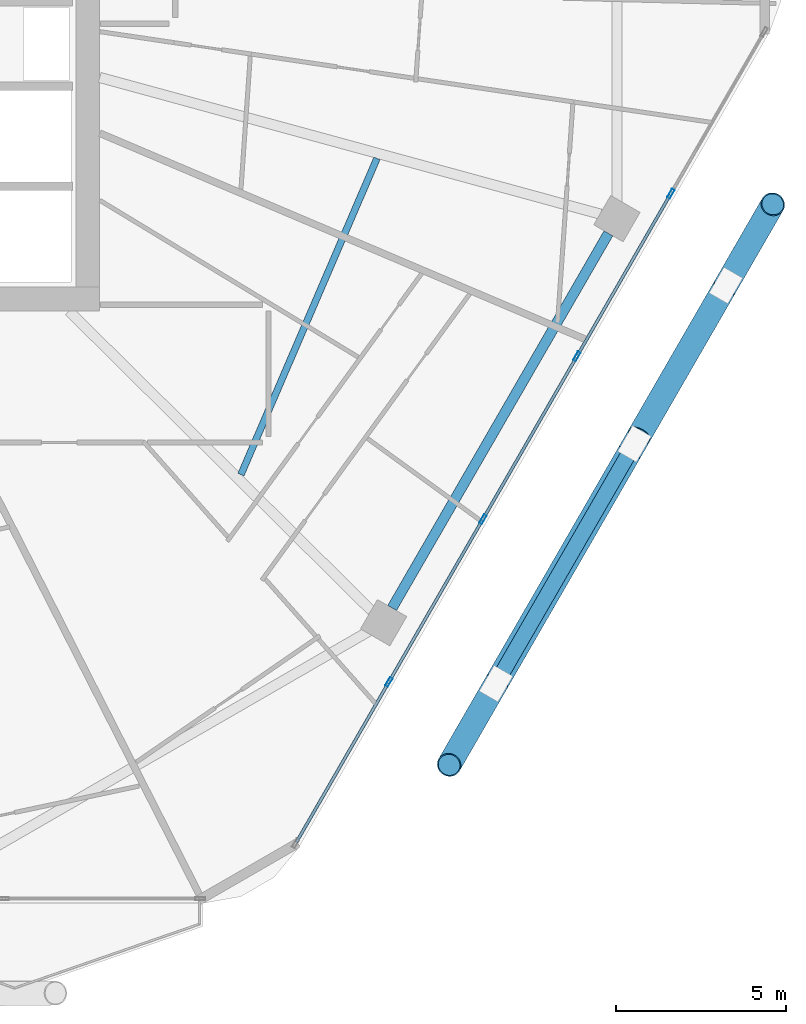
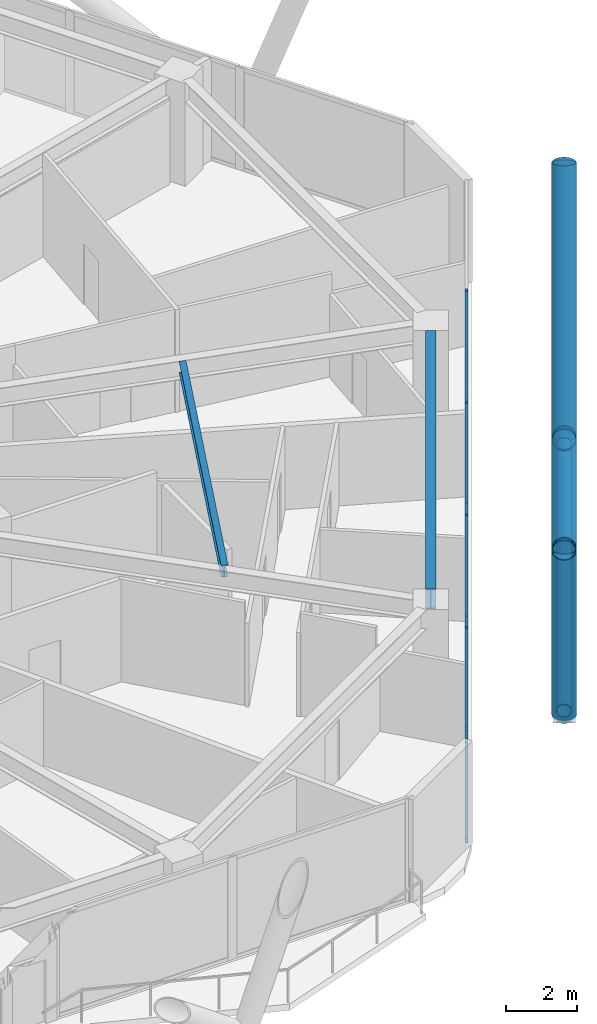
# One storey, part 9 of 29: 18 members, 2 beams, 1 element without a shape of its own.
"""IFC4 building model written with IfcOpenShell, lengths in metres."""

from ifc_helpers import new_model, si_unit, direction, frame, origin, origin_2d, place, context, subcontext, project, spatial, hollow_rectangle, hollow_circle, i_section, extrude, material, material_profile, profile_set, type_object, element, aggregate, save


model = new_model("IFC4")

# Units and contexts
model_context = context("Model", 3, precision=1e-05, world=origin(), true_north=direction((0.0, 1.0)))
body_context = subcontext(model_context, "Body", "Model", "MODEL_VIEW")
ifc_project = project(units=[si_unit("LENGTHUNIT", "METRE"), si_unit("AREAUNIT", "SQUARE_METRE"), si_unit("VOLUMEUNIT", "CUBIC_METRE"), si_unit("PLANEANGLEUNIT", "RADIAN"), si_unit("MASSUNIT", "GRAM", prefix="KILO")], contexts=[model_context])

# Site, building, storey
site_placement = place(None, origin())
site = spatial("IfcSite", under=ifc_project, at=site_placement, CompositionType="ELEMENT")
building_placement = place(site_placement, origin())
building = spatial("IfcBuilding", under=site, at=building_placement, Name="Zuhravey Tower", CompositionType="ELEMENT")
storey_placement = place(building_placement, frame((0.0, 0.0, 184.60009765625)))
storey = spatial("IfcBuildingStorey", under=building, at=storey_placement, Name="L46", CompositionType="ELEMENT", Elevation=184.60009765625)

# Curtain wall, members
ifc_material_1 = material(Name="Thermally broken anodised aluminium", Category="aluminium")
curtain_wall_type = type_object("IfcCurtainWallType", Name="Zone 1-2 Residential Curtain Wall CW3", PredefinedType="NOTDEFINED", material=ifc_material_1)
curtain_wall_placement = place(storey_placement, origin())
curtain_wall = element("IfcCurtainWall", 1, at=curtain_wall_placement, inside=storey, type_object=curtain_wall_type, Name="L46 CW3 CW-L46-F6-1", PredefinedType="NOTDEFINED")
ifc_material_2 = material(Name="Anodised aluminium", Category="aluminium")
ifc_material_profile_1 = material_profile(ifc_material_2, hollow_rectangle(XDim=0.090087890625, YDim=0.284912109375, WallThickness=0.0048828125, at=origin_2d()), Name="ALU-RHS-90x285x5")
ifc_profile_set_1 = profile_set([ifc_material_profile_1], Name="Anodised aluminium")
member_type_1 = type_object("IfcMemberType", Name="Curtain-Wall Mullion 90x180", PredefinedType="MULLION", material=ifc_profile_set_1)
member_1_placement = place(storey_placement, frame((63.699462890625, 25.61083984375, 0.0), z_axis=(0.0, 0.0, 1.0), x_axis=(0.866025138215, -0.500000459979, 0.0)))
member_1 = element("IfcMember", 2, at=member_1_placement, type_object=member_type_1, Name="CW3 mullion 2", PredefinedType="MULLION", context=body_context, shape_type="SweptSolid", body=[
    extrude(hollow_rectangle(XDim=0.090087890625, YDim=0.284912109375, WallThickness=0.0048828125, at=origin_2d()), origin(), (0.0, 0.0, 1.0), 3.5498046875),
])
member_2_placement = place(storey_placement, frame((60.92724609375, 20.809326171875, 0.0), z_axis=(0.0, 0.0, 1.0), x_axis=(0.866025138215, -0.500000459979, 0.0)))
member_2 = element("IfcMember", 3, at=member_2_placement, type_object=member_type_1, Name="CW3 mullion 3", PredefinedType="MULLION", context=body_context, shape_type="SweptSolid", body=[
    extrude(hollow_rectangle(XDim=0.090087890625, YDim=0.284912109375, WallThickness=0.0048828125, at=origin_2d()), origin(), (0.0, 0.0, 1.0), 3.5498046875),
])
member_3_placement = place(storey_placement, frame((58.155029296875, 16.007568359375, 0.0), z_axis=(0.0, 0.0, 1.0), x_axis=(0.866025138215, -0.500000459979, 0.0)))
member_3 = element("IfcMember", 4, at=member_3_placement, type_object=member_type_1, Name="CW3 mullion 4", PredefinedType="MULLION", context=body_context, shape_type="SweptSolid", body=[
    extrude(hollow_rectangle(XDim=0.090087890625, YDim=0.284912109375, WallThickness=0.0048828125, at=origin_2d()), origin(), (0.0, 0.0, 1.0), 3.5498046875),
])
member_4_placement = place(storey_placement, frame((55.3828125, 11.2060546875, 0.0), z_axis=(0.0, 0.0, 1.0), x_axis=(0.866025138215, -0.500000459979, 0.0)))
member_4 = element("IfcMember", 5, at=member_4_placement, type_object=member_type_1, Name="CW3 mullion 5", PredefinedType="MULLION", context=body_context, shape_type="SweptSolid", body=[
    extrude(hollow_rectangle(XDim=0.090087890625, YDim=0.284912109375, WallThickness=0.0048828125, at=origin_2d()), origin(), (0.0, 0.0, 1.0), 3.5498046875),
])
ifc_material_profile_2 = material_profile(ifc_material_2, hollow_rectangle(XDim=0.090087890625, YDim=0.14990234375, WallThickness=0.0048828125, at=origin_2d()), Name="ALU-RHS-90x150x5")
ifc_profile_set_2 = profile_set([ifc_material_profile_2], Name="Anodised aluminium")
member_type_2 = type_object("IfcMemberType", Name="Curtain-Wall Transom 90x150", PredefinedType="USERDEFINED", material=ifc_profile_set_2)
member_5_placement = place(storey_placement, frame((63.677001953125, 25.572021484375, 0.044921875), z_axis=(-0.49996138257, -0.86604769842, 0.0), x_axis=(0.86604769842, -0.49996138257, 0.0)))
member_5 = element("IfcMember", 6, at=member_5_placement, type_object=member_type_2, Name="CW3 transom 2.1", ObjectType="TRANSOM", PredefinedType="USERDEFINED", context=body_context, shape_type="SweptSolid", body=[
    extrude(hollow_rectangle(XDim=0.090087890625, YDim=0.14990234375, WallThickness=0.0048828125, at=origin_2d()), origin(), (0.0, 0.0, 1.0), 5.45458984375),
])
member_6_placement = place(storey_placement, frame((63.677001953125, 25.572021484375, 3.5048828125), z_axis=(-0.49996138257, -0.86604769842, 0.0), x_axis=(0.86604769842, -0.49996138257, 0.0)))
member_6 = element("IfcMember", 7, at=member_6_placement, type_object=member_type_2, Name="CW3 transom 2.2", ObjectType="TRANSOM", PredefinedType="USERDEFINED", context=body_context, shape_type="SweptSolid", body=[
    extrude(hollow_rectangle(XDim=0.090087890625, YDim=0.14990234375, WallThickness=0.0048828125, at=origin_2d()), origin(), (0.0, 0.0, 1.0), 5.45458984375),
])
member_7_placement = place(storey_placement, frame((60.90478515625, 20.770263671875, 0.044921875), z_axis=(-0.499980763544, -0.866036509673, 0.0), x_axis=(0.866036509673, -0.499980763544, 0.0)))
member_7 = element("IfcMember", 8, at=member_7_placement, type_object=member_type_2, Name="CW3 transom 3.1", ObjectType="TRANSOM", PredefinedType="USERDEFINED", context=body_context, shape_type="SweptSolid", body=[
    extrude(hollow_rectangle(XDim=0.090087890625, YDim=0.14990234375, WallThickness=0.0048828125, at=origin_2d()), origin(), (0.0, 0.0, 1.0), 5.454345703125),
])
member_8_placement = place(storey_placement, frame((60.90478515625, 20.770263671875, 3.5048828125), z_axis=(-0.499980763544, -0.866036509673, 0.0), x_axis=(0.866036509673, -0.499980763544, 0.0)))
member_8 = element("IfcMember", 9, at=member_8_placement, type_object=member_type_2, Name="CW3 transom 3.2", ObjectType="TRANSOM", PredefinedType="USERDEFINED", context=body_context, shape_type="SweptSolid", body=[
    extrude(hollow_rectangle(XDim=0.090087890625, YDim=0.14990234375, WallThickness=0.0048828125, at=origin_2d()), origin(), (0.0, 0.0, 1.0), 5.454345703125),
])
member_9_placement = place(storey_placement, frame((58.132568359375, 15.96875, 0.044921875), z_axis=(-0.49996138257, -0.86604769842, 0.0), x_axis=(0.86604769842, -0.49996138257, 0.0)))
member_9 = element("IfcMember", 10, at=member_9_placement, type_object=member_type_2, Name="CW3 transom 4.1", ObjectType="TRANSOM", PredefinedType="USERDEFINED", context=body_context, shape_type="SweptSolid", body=[
    extrude(hollow_rectangle(XDim=0.090087890625, YDim=0.14990234375, WallThickness=0.0048828125, at=origin_2d()), origin(), (0.0, 0.0, 1.0), 5.45458984375),
])
member_10_placement = place(storey_placement, frame((58.132568359375, 15.96875, 3.5048828125), z_axis=(-0.49996138257, -0.86604769842, 0.0), x_axis=(0.86604769842, -0.49996138257, 0.0)))
member_10 = element("IfcMember", 11, at=member_10_placement, type_object=member_type_2, Name="CW3 transom 4.2", ObjectType="TRANSOM", PredefinedType="USERDEFINED", context=body_context, shape_type="SweptSolid", body=[
    extrude(hollow_rectangle(XDim=0.090087890625, YDim=0.14990234375, WallThickness=0.0048828125, at=origin_2d()), origin(), (0.0, 0.0, 1.0), 5.45458984375),
])
member_11_placement = place(storey_placement, frame((55.3603515625, 11.1669921875, 0.044921875), z_axis=(-0.499993332629, -0.866029253159, 0.0), x_axis=(0.866029253159, -0.499993332629, 0.0)))
member_11 = element("IfcMember", 12, at=member_11_placement, type_object=member_type_2, Name="CW3 transom 5.1", ObjectType="TRANSOM", PredefinedType="USERDEFINED", context=body_context, shape_type="SweptSolid", body=[
    extrude(hollow_rectangle(XDim=0.090087890625, YDim=0.14990234375, WallThickness=0.0048828125, at=origin_2d()), origin(), (0.0, 0.0, 1.0), 5.4091796875),
])
member_12_placement = place(storey_placement, frame((55.3603515625, 11.1669921875, 3.5048828125), z_axis=(-0.499993332629, -0.866029253159, 0.0), x_axis=(0.866029253159, -0.499993332629, 0.0)))
member_12 = element("IfcMember", 13, at=member_12_placement, type_object=member_type_2, Name="CW3 transom 5.2", ObjectType="TRANSOM", PredefinedType="USERDEFINED", context=body_context, shape_type="SweptSolid", body=[
    extrude(hollow_rectangle(XDim=0.090087890625, YDim=0.14990234375, WallThickness=0.0048828125, at=origin_2d()), origin(), (0.0, 0.0, 1.0), 5.4091796875),
])
aggregate(curtain_wall, [member_1, member_2, member_3, member_4, member_5, member_6, member_7, member_8, member_9, member_10, member_11, member_12])

# Members
ifc_material_3 = material(Name="Steel SM355", Category="steel")
ifc_material_profile_3 = material_profile(ifc_material_3, hollow_circle(Radius=0.228515625, WallThickness=0.02197265625, at=origin_2d()), Name="CHS-457.2x22")
ifc_profile_set_3 = profile_set([ifc_material_profile_3], Name="Steel SM355")
member_type_3 = type_object("IfcMemberType", Name="Exoskeleton Ring Tie CHS457x22", PredefinedType="CHORD", material=ifc_profile_set_3)
member_13_placement = place(storey_placement, frame((58.611083984375, 11.27734375, -0.464111328125), z_axis=(0.500004091344, 0.866023041633, 0.0), x_axis=(-0.866023041633, 0.500004091344, 0.0)))
element("IfcMember", 14, at=member_13_placement, inside=storey, type_object=member_type_3, Name="L46 Exoskeleton Face 6 Tie EXR1", PredefinedType="CHORD", context=body_context, shape_type="SweptSolid", body=[
    extrude(hollow_circle(Radius=0.228515625, WallThickness=0.02197265625, at=origin_2d()), origin(), (0.0, 0.0, 1.0), 13.28173828125),
])
ifc_material_4 = material(Name="Steel SM460", Category="steel")
ifc_material_profile_4 = material_profile(ifc_material_4, hollow_circle(Radius=0.355712890625, WallThickness=0.031982421875, at=origin_2d()), Name="CHS-711.2x32")
ifc_profile_set_4 = profile_set([ifc_material_profile_4], Name="Steel SM460")
member_type_4 = type_object("IfcMemberType", Name="Exoskeleton Zone 2 Diagrid CHS711x32", PredefinedType="BRACE", material=ifc_profile_set_4)
member_14_placement = place(storey_placement, frame((58.537353515625, 11.149658203125, -0.444091796875), z_axis=(-0.171428917165, -0.296929081792, 0.939385568734), x_axis=(0.866029404905, -0.499993069792, 0.0)))
element("IfcMember", 15, at=member_14_placement, inside=storey, type_object=member_type_4, Name="L46 Face 6 Diagrid Brace 1", PredefinedType="BRACE", context=body_context, shape_type="SweptSolid", body=[
    extrude(hollow_circle(Radius=0.355712890625, WallThickness=0.031982421875, at=origin_2d()), origin(), (0.0, 0.0, 1.0), 8.0478515625),
])
member_15_placement = place(storey_placement, frame((58.5625, 11.193115234375, -0.444091796875), z_axis=(0.453338388553, 0.785209877744, 0.421817203724), x_axis=(-0.866026715089, 0.499997728747, 0.0)))
element("IfcMember", 16, at=member_15_placement, inside=storey, type_object=member_type_4, Name="L46 Face 6 Diagrid Brace 2", PredefinedType="BRACE", context=body_context, shape_type="SweptSolid", body=[
    extrude(hollow_circle(Radius=0.355712890625, WallThickness=0.031982421875, at=origin_2d()), origin(), (0.0, 0.0, 1.0), 17.922607421875),
])
member_16_placement = place(storey_placement, frame((65.32568359375, 22.9072265625, -0.444091796875), z_axis=(0.171428917165, 0.296929081792, 0.939385568734), x_axis=(-0.866029404905, 0.499993069792, 0.0)))
element("IfcMember", 17, at=member_16_placement, inside=storey, type_object=member_type_4, Name="L46 Face 6 Diagrid Brace 4", PredefinedType="BRACE", context=body_context, shape_type="SweptSolid", body=[
    extrude(hollow_circle(Radius=0.355712890625, WallThickness=0.031982421875, at=origin_2d()), origin(), (0.0, 0.0, 1.0), 8.0478515625),
])
member_17_placement = place(storey_placement, frame((65.302734375, 22.867431640625, -0.436767578125), z_axis=(-0.408775424455, -0.70798015044, 0.575905164887), x_axis=(0.866013277291, -0.500021003115, 0.0)))
element("IfcMember", 18, at=member_17_placement, inside=storey, type_object=member_type_4, Name="L46 Face 6 Split Diagrid Brace 3A", PredefinedType="BRACE", context=body_context, shape_type="SweptSolid", body=[
    extrude(hollow_circle(Radius=0.355712890625, WallThickness=0.031982421875, at=origin_2d()), origin(), (0.0, 0.0, 1.0), 6.205322265625),
])
member_18_placement = place(storey_placement, frame((62.4619140625, 17.947021484375, 3.44921875), z_axis=(-0.472345150126, -0.818084346156, 0.32806716039), x_axis=(0.866014433275, -0.500019000998, 0.0)))
element("IfcMember", 19, at=member_18_placement, inside=storey, type_object=member_type_4, Name="L46 Face 6 Split Diagrid Brace 3B", PredefinedType="BRACE", context=body_context, shape_type="SweptSolid", body=[
    extrude(hollow_circle(Radius=0.355712890625, WallThickness=0.031982421875, at=origin_2d()), origin(), (0.0, 0.0, 1.0), 11.190185546875),
])

# Beams
ifc_material_profile_5 = material_profile(ifc_material_3, i_section(OverallWidth=0.300048828125, OverallDepth=0.679931640625, WebThickness=0.012939453125, FlangeThickness=0.02197265625, at=origin_2d()), Name="H-680x300x13x22")
ifc_profile_set_5 = profile_set([ifc_material_profile_5], Name="Steel SM355")
beam_type_1 = type_object("IfcBeamType", Name="Perimeter Ring Beam H680x300", PredefinedType="BEAM", material=ifc_profile_set_5)
beam_1_placement = place(storey_placement, frame((55.47705078125, 13.388916015625, 3.2099609375), z_axis=(0.499997974489, 0.866026573211, 0.0), x_axis=(-0.866026573211, 0.499997974489, 0.0)))
element("IfcBeam", 20, at=beam_1_placement, inside=storey, type_object=beam_type_1, Name="L46 PB2 BM-L46-PB-11", PredefinedType="BEAM", context=body_context, shape_type="SweptSolid", body=[
    extrude(i_section(OverallWidth=0.300048828125, OverallDepth=0.679931640625, WebThickness=0.012939453125, FlangeThickness=0.02197265625, at=origin_2d()), origin(), (0.0, 0.0, 1.0), 12.75830078125),
])
ifc_material_profile_6 = material_profile(ifc_material_3, i_section(OverallWidth=0.199951171875, OverallDepth=0.39990234375, WebThickness=0.008056640625, FlangeThickness=0.012939453125, at=origin_2d()), Name="H-400x200x8x13")
ifc_profile_set_6 = profile_set([ifc_material_profile_6], Name="Steel SM355")
beam_type_2 = type_object("IfcBeamType", Name="Secondary Floor Joist H400x200", PredefinedType="JOIST", material=ifc_profile_set_6)
beam_2_placement = place(storey_placement, frame((51.017578125, 17.323974609375, 3.349853515625), z_axis=(0.395265853487, 0.918566766799, 0.0), x_axis=(-0.918566766799, 0.395265853487, 0.0)))
element("IfcBeam", 21, at=beam_2_placement, inside=storey, type_object=beam_type_2, Name="L46 SJ2 BM-L46-SJ-11-1", PredefinedType="JOIST", context=body_context, shape_type="SweptSolid", body=[
    extrude(i_section(OverallWidth=0.199951171875, OverallDepth=0.39990234375, WebThickness=0.008056640625, FlangeThickness=0.012939453125, at=origin_2d()), origin(), (0.0, 0.0, 1.0), 10.150146484375),
])

save(model, "model.ifc")
